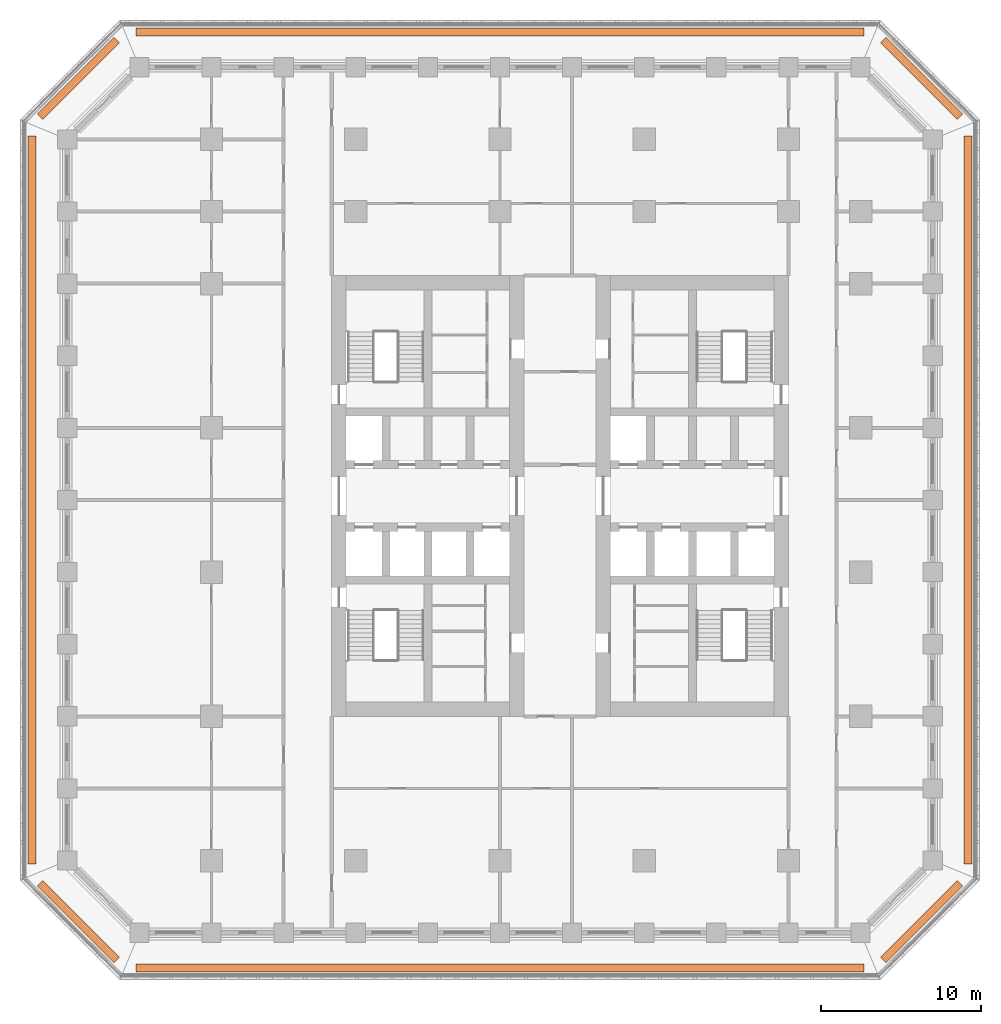
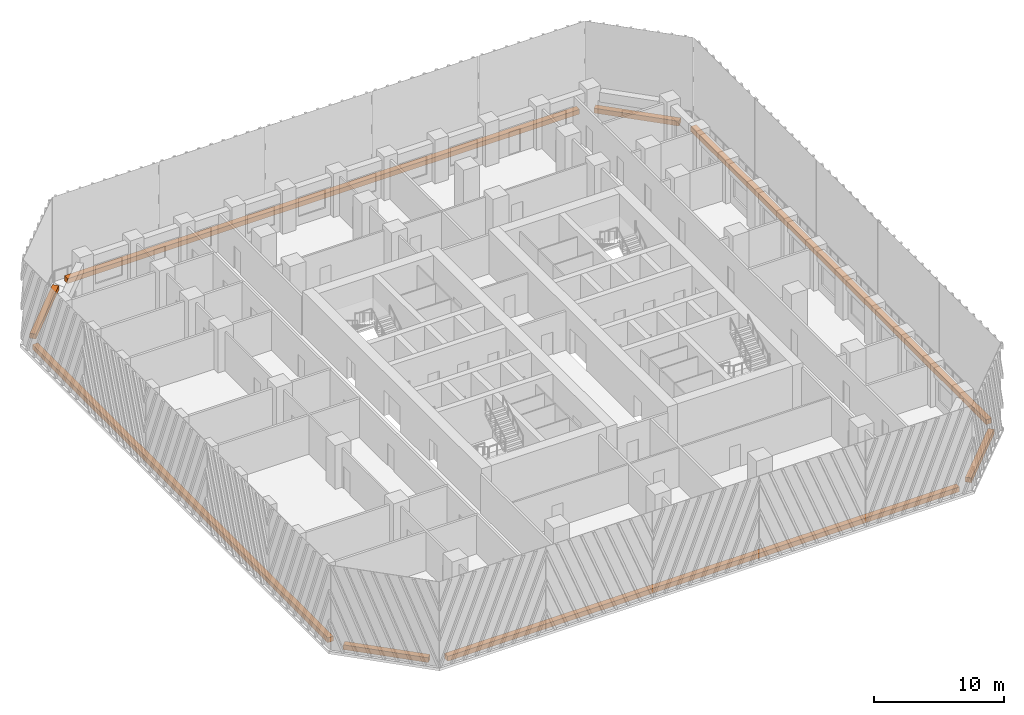
# One storey, part 19 of 19: 8 proxies.
"""IFC4 building model written with IfcOpenShell, lengths in metres."""

from ifc_helpers import new_model, si_unit, direction, frame, origin, origin_2d, place, context, subcontext, project, spatial, rectangle, extrude, material, type_object, element, save


model = new_model("IFC4")

# Units and contexts
model_context = context("Model", 3, precision=1e-05, world=origin(), true_north=direction((0.0, 1.0)))
body_context = subcontext(model_context, "Body", "Model", "MODEL_VIEW")
ifc_project = project(units=[si_unit("LENGTHUNIT", "METRE"), si_unit("AREAUNIT", "SQUARE_METRE"), si_unit("VOLUMEUNIT", "CUBIC_METRE"), si_unit("PLANEANGLEUNIT", "RADIAN"), si_unit("MASSUNIT", "GRAM", prefix="KILO")], contexts=[model_context])

# Site, building, storey
site_placement = place(None, origin())
site = spatial("IfcSite", under=ifc_project, at=site_placement, CompositionType="ELEMENT")
building_placement = place(site_placement, origin())
building = spatial("IfcBuilding", under=site, at=building_placement, Name="Corbel Stack Research Tower", CompositionType="ELEMENT")
storey_placement = place(building_placement, frame((0.0, 0.0, 124.89990234375)))
storey = spatial("IfcBuildingStorey", under=building, at=storey_placement, Name="L28", CompositionType="ELEMENT", Elevation=124.89990234375)

# Proxies
ifc_material = material(Name="Concrete C45/55", Category="concrete")
building_element_proxy_type = type_object("IfcBuildingElementProxyType", Name="Planter box", PredefinedType="USERDEFINED", material=ifc_material)
proxy_1_placement = place(storey_placement, frame((0.0, -24.699951171875, 0.0), z_axis=(0.0, 0.0, 1.0), x_axis=(1.0, 0.0, 0.0)))
element("IfcBuildingElementProxy", 1, at=proxy_1_placement, inside=storey, type_object=building_element_proxy_type, Name="Planter L28 S", ObjectType="PLANTER", PredefinedType="USERDEFINED", context=body_context, shape_type="SweptSolid", body=[
    extrude(rectangle(XDim=45.41064453125, YDim=0.5, at=origin_2d()), origin(), (0.0, 0.0, 1.0), 0.449951171875),
])
proxy_2_placement = place(storey_placement, frame((26.3056640625, -21.8056640625, 0.0), z_axis=(0.0, 0.0, 1.0), x_axis=(0.707106781187, 0.707106781187, 0.0)))
element("IfcBuildingElementProxy", 2, at=proxy_2_placement, inside=storey, type_object=building_element_proxy_type, Name="Planter L28 SE", ObjectType="PLANTER", PredefinedType="USERDEFINED", context=body_context, shape_type="SweptSolid", body=[
    extrude(rectangle(XDim=6.774658203125, YDim=0.5, at=origin_2d()), origin(), (0.0, 0.0, 1.0), 0.449951171875),
])
proxy_3_placement = place(storey_placement, frame((29.199951171875, 4.5, 0.0), z_axis=(0.0, 0.0, 1.0), x_axis=(0.0, 1.0, 0.0)))
element("IfcBuildingElementProxy", 3, at=proxy_3_placement, inside=storey, type_object=building_element_proxy_type, Name="Planter L28 E", ObjectType="PLANTER", PredefinedType="USERDEFINED", context=body_context, shape_type="SweptSolid", body=[
    extrude(rectangle(XDim=45.41064453125, YDim=0.5, at=origin_2d()), origin(), (0.0, 0.0, 1.0), 0.449951171875),
])
proxy_4_placement = place(storey_placement, frame((26.3056640625, 30.8056640625, 0.0), z_axis=(0.0, 0.0, 1.0), x_axis=(-0.707106781187, 0.707106781187, 0.0)))
element("IfcBuildingElementProxy", 4, at=proxy_4_placement, inside=storey, type_object=building_element_proxy_type, Name="Planter L28 NE", ObjectType="PLANTER", PredefinedType="USERDEFINED", context=body_context, shape_type="SweptSolid", body=[
    extrude(rectangle(XDim=6.774658203125, YDim=0.5, at=origin_2d()), origin(), (0.0, 0.0, 1.0), 0.449951171875),
])
proxy_5_placement = place(storey_placement, frame((0.0, 33.699951171875, 0.0), z_axis=(0.0, 0.0, 1.0), x_axis=(-1.0, 0.0, 0.0)))
element("IfcBuildingElementProxy", 5, at=proxy_5_placement, inside=storey, type_object=building_element_proxy_type, Name="Planter L28 N", ObjectType="PLANTER", PredefinedType="USERDEFINED", context=body_context, shape_type="SweptSolid", body=[
    extrude(rectangle(XDim=45.41064453125, YDim=0.5, at=origin_2d()), origin(), (0.0, 0.0, 1.0), 0.449951171875),
])
proxy_6_placement = place(storey_placement, frame((-26.3056640625, 30.8056640625, 0.0), z_axis=(0.0, 0.0, 1.0), x_axis=(-0.707106781187, -0.707106781187, 0.0)))
element("IfcBuildingElementProxy", 6, at=proxy_6_placement, inside=storey, type_object=building_element_proxy_type, Name="Planter L28 NW", ObjectType="PLANTER", PredefinedType="USERDEFINED", context=body_context, shape_type="SweptSolid", body=[
    extrude(rectangle(XDim=6.774658203125, YDim=0.5, at=origin_2d()), origin(), (0.0, 0.0, 1.0), 0.449951171875),
])
proxy_7_placement = place(storey_placement, frame((-29.199951171875, 4.5, 0.0), z_axis=(0.0, 0.0, 1.0), x_axis=(0.0, -1.0, 0.0)))
element("IfcBuildingElementProxy", 7, at=proxy_7_placement, inside=storey, type_object=building_element_proxy_type, Name="Planter L28 W", ObjectType="PLANTER", PredefinedType="USERDEFINED", context=body_context, shape_type="SweptSolid", body=[
    extrude(rectangle(XDim=45.41064453125, YDim=0.5, at=origin_2d()), origin(), (0.0, 0.0, 1.0), 0.449951171875),
])
proxy_8_placement = place(storey_placement, frame((-26.3056640625, -21.8056640625, 0.0), z_axis=(0.0, 0.0, 1.0), x_axis=(0.707106781187, -0.707106781187, 0.0)))
element("IfcBuildingElementProxy", 8, at=proxy_8_placement, inside=storey, type_object=building_element_proxy_type, Name="Planter L28 SW", ObjectType="PLANTER", PredefinedType="USERDEFINED", context=body_context, shape_type="SweptSolid", body=[
    extrude(rectangle(XDim=6.774658203125, YDim=0.5, at=origin_2d()), origin(), (0.0, 0.0, 1.0), 0.449951171875),
])

save(model, "model.ifc")
